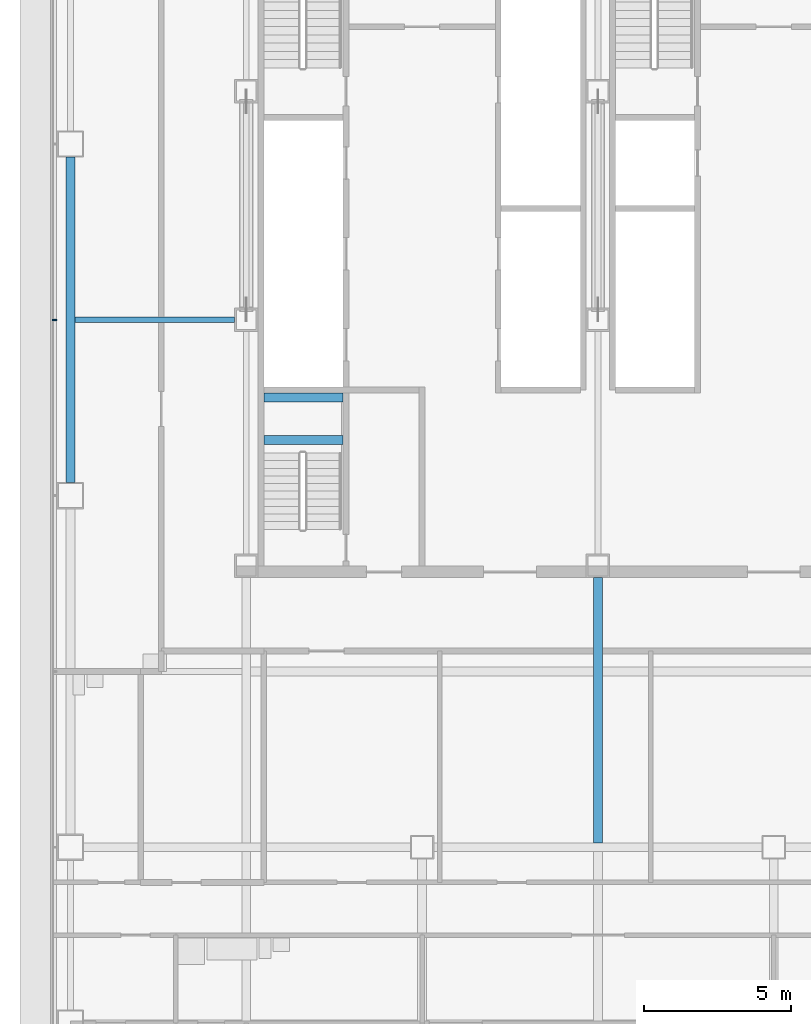
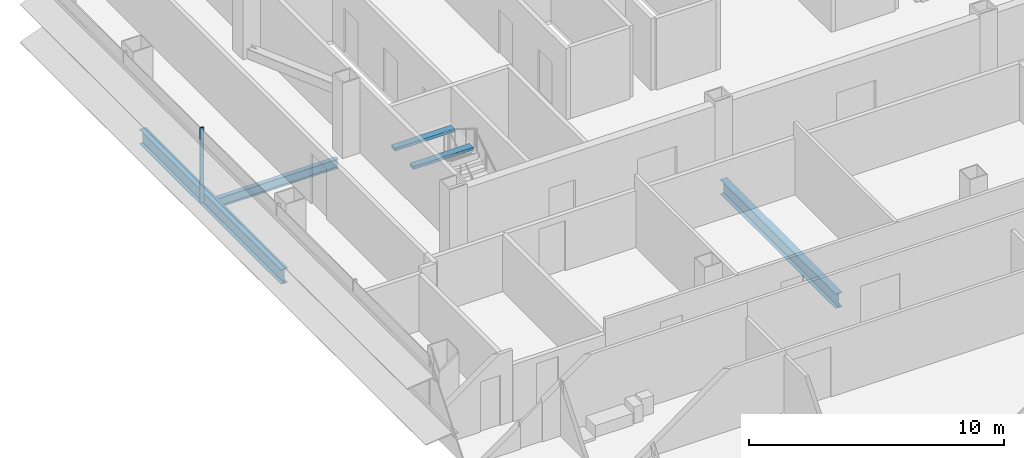
# One storey, part 6 of 27: 5 beams, 1 member, 1 element without a shape of its own.
"""IFC4 building model written with IfcOpenShell, lengths in metres."""

from ifc_helpers import new_model, si_unit, direction, frame, origin, origin_2d, place, context, subcontext, project, spatial, rectangle, i_section, extrude, material, material_profile, profile_set, type_object, element, aggregate, save


model = new_model("IFC4")

# Units and contexts
model_context = context("Model", 3, precision=1e-05, world=origin(), true_north=direction((0.0, 1.0)))
body_context = subcontext(model_context, "Body", "Model", "MODEL_VIEW")
ifc_project = project(units=[si_unit("LENGTHUNIT", "METRE"), si_unit("AREAUNIT", "SQUARE_METRE"), si_unit("VOLUMEUNIT", "CUBIC_METRE"), si_unit("PLANEANGLEUNIT", "RADIAN"), si_unit("MASSUNIT", "GRAM", prefix="KILO")], contexts=[model_context])

# Site, building, storey
site_placement = place(None, origin())
site = spatial("IfcSite", under=ifc_project, at=site_placement, CompositionType="ELEMENT")
building_placement = place(site_placement, origin())
building = spatial("IfcBuilding", under=site, at=building_placement, Name="Sorahane Residences", CompositionType="ELEMENT")
storey_placement = place(building_placement, frame((0.0, 0.0, 75.0)))
storey = spatial("IfcBuildingStorey", under=building, at=storey_placement, Name="L15", CompositionType="ELEMENT", Elevation=75.0)

# Curtain wall, member
ifc_material_1 = material(Name="Dark low-e glass and black anodised aluminium", Category="aluminium")
curtain_wall_type = type_object("IfcCurtainWallType", Name="Curtain wall CW-1 Typical unitised wall", PredefinedType="NOTDEFINED", material=ifc_material_1)
curtain_wall_placement = place(storey_placement, origin())
curtain_wall = element("IfcCurtainWall", 1, at=curtain_wall_placement, inside=storey, type_object=curtain_wall_type, Name="CW-1 curtain wall L15 W1", PredefinedType="NOTDEFINED")
ifc_material_2 = material(Name="Black anodised aluminium", Category="aluminium")
ifc_material_profile_1 = material_profile(ifc_material_2, rectangle(XDim=0.159912109375, YDim=0.050048828125, at=origin_2d()), Name="Curtain wall mullion CW-1 black anodised aluminium 50x160")
ifc_profile_set_1 = profile_set([ifc_material_profile_1], Name="Black anodised aluminium")
member_type = type_object("IfcMemberType", Name="Curtain wall mullion CW-1 black anodised aluminium 50x160", PredefinedType="MULLION", material=ifc_profile_set_1)
member_placement = place(storey_placement, frame((-0.5400390625, 30.0, -0.179931640625), z_axis=(0.0, 0.0, 1.0), x_axis=(-1.0, 0.0, 0.0)))
member = element("IfcMember", 2, at=member_placement, type_object=member_type, Name="CW-1 mullion L15 W1.3", PredefinedType="MULLION", context=body_context, shape_type="SweptSolid", body=[
    extrude(rectangle(XDim=0.159912109375, YDim=0.050048828125, at=origin_2d()), origin(), (0.0, 0.0, 1.0), 3.599853515625),
])
aggregate(curtain_wall, [member])

# Beams
ifc_material_3 = material(Name="Concrete C40", Category="concrete")
ifc_material_profile_2 = material_profile(ifc_material_3, rectangle(XDim=0.300048828125, YDim=0.139892578125, at=origin_2d()), Name="300x140")
ifc_profile_set_2 = profile_set([ifc_material_profile_2], Name="Concrete C40")
beam_type_1 = type_object("IfcBeamType", Name="RC landing beam 300 x 140 Concrete C40", PredefinedType="BEAM", material=ifc_profile_set_2)
for number, where, z_axis, x_axis, name in (
    (3, (6.60009765625, 25.89990234375, 1.530029296875), (1.0, 0.0, 0.0), (0.0, 1.0, 0.0), "Landing beam"),
    (4, (6.60009765625, 27.35009765625, 1.530029296875), (1.0, 0.0, 0.0), (0.0, 1.0, 0.0), "Landing beam"),
):
    element("IfcBeam", number, at=place(storey_placement, frame(where, z_axis=z_axis, x_axis=x_axis)), inside=storey, type_object=beam_type_1, Name=name, PredefinedType="BEAM", context=body_context, shape_type="SweptSolid", body=[
        extrude(rectangle(XDim=0.300048828125, YDim=0.139892578125, at=origin_2d()), origin(), (0.0, 0.0, 1.0), 2.699951171875),
    ])
ifc_material_4 = material(Name="Steel Q355B", Category="steel")
ifc_material_profile_3 = material_profile(ifc_material_4, i_section(OverallWidth=0.199951171875, OverallDepth=0.449951171875, WebThickness=0.009033203125, FlangeThickness=0.013916015625, FilletRadius=0.02001953125, at=origin_2d()), Name="HN 450x200x9x14")
ifc_profile_set_3 = profile_set([ifc_material_profile_3], Name="Steel Q355B")
beam_type_2 = type_object("IfcBeamType", Name="Steel floor beam HN 450x200x9x14 Q355B", PredefinedType="BEAM", material=ifc_profile_set_3)
beam_1_placement = place(storey_placement, frame((0.14990234375, 30.0, -0.405029296875), z_axis=(1.0, 0.0, 0.0), x_axis=(0.0, 1.0, 0.0)))
element("IfcBeam", 5, at=beam_1_placement, inside=storey, type_object=beam_type_2, Name="Beam L15 076", PredefinedType="BEAM", context=body_context, shape_type="SweptSolid", body=[
    extrude(i_section(OverallWidth=0.199951171875, OverallDepth=0.449951171875, WebThickness=0.009033203125, FlangeThickness=0.013916015625, FilletRadius=0.02001953125, at=origin_2d()), origin(), (0.0, 0.0, 1.0), 5.4501953125),
])
ifc_material_5 = material(Name="Steel Q355B", Category="steel")
ifc_material_profile_4 = material_profile(ifc_material_5, i_section(OverallWidth=0.300048828125, OverallDepth=0.699951171875, WebThickness=0.012939453125, FlangeThickness=0.02392578125, FilletRadius=0.028076171875, at=origin_2d()), Name="HN 700x300x13x24")
ifc_profile_set_4 = profile_set([ifc_material_profile_4], Name="Steel Q355B")
beam_type_3 = type_object("IfcBeamType", Name="Steel floor beam HN 700x300x13x24 Q355B", PredefinedType="BEAM", material=ifc_profile_set_4)
beam_2_placement = place(storey_placement, frame((0.0, 24.449951171875, -0.530029296875), z_axis=(0.0, 1.0, 0.0), x_axis=(-1.0, 0.0, 0.0)))
element("IfcBeam", 6, at=beam_2_placement, inside=storey, type_object=beam_type_3, Name="Beam L15 019", PredefinedType="BEAM", context=body_context, shape_type="SweptSolid", body=[
    extrude(i_section(OverallWidth=0.300048828125, OverallDepth=0.699951171875, WebThickness=0.012939453125, FlangeThickness=0.02392578125, FilletRadius=0.028076171875, at=origin_2d()), origin(), (0.0, 0.0, 1.0), 11.10009765625),
])
beam_3_placement = place(storey_placement, frame((18.0, 12.14990234375, -0.530029296875), z_axis=(0.0, 1.0, 0.0), x_axis=(-1.0, 0.0, 0.0)))
element("IfcBeam", 7, at=beam_3_placement, inside=storey, type_object=beam_type_3, Name="Beam L15 030", PredefinedType="BEAM", context=body_context, shape_type="SweptSolid", body=[
    extrude(i_section(OverallWidth=0.300048828125, OverallDepth=0.699951171875, WebThickness=0.012939453125, FlangeThickness=0.02392578125, FilletRadius=0.028076171875, at=origin_2d()), origin(), (0.0, 0.0, 1.0), 9.050048828125),
])

save(model, "model.ifc")
